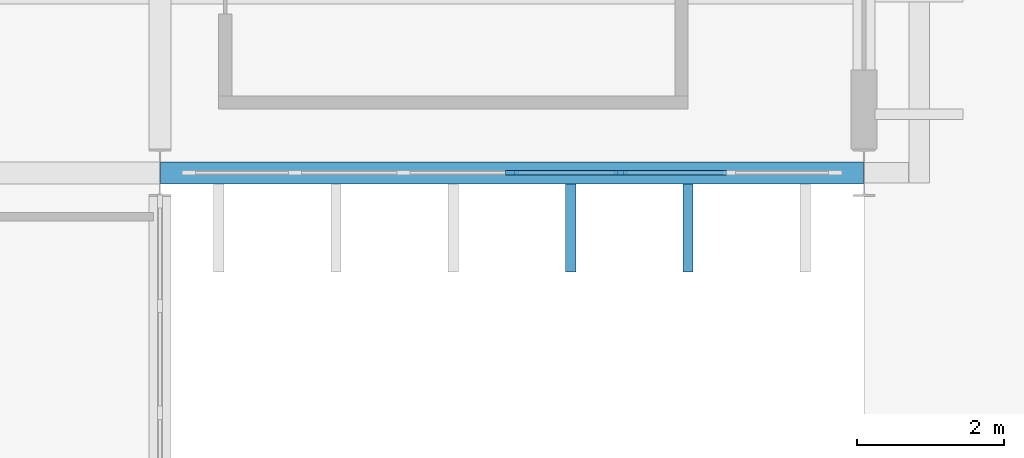
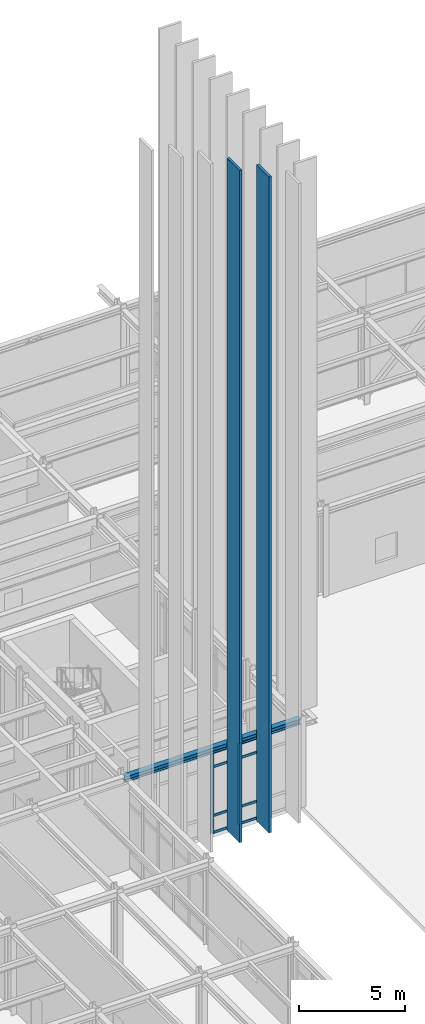
# One storey, part 40 of 109: 12 members, 1 beam, 1 element without a shape of its own.
"""IFC4 building model written with IfcOpenShell, lengths in metres."""

from ifc_helpers import new_model, si_unit, direction, frame, origin, origin_2d, place, context, subcontext, project, spatial, rectangle, i_section, extrude, material, layer, layer_set, material_profile, profile_set, type_object, element, aggregate, save


model = new_model("IFC4")

# Units and contexts
model_context = context("Model", 3, precision=1e-05, world=origin(), true_north=direction((0.0, 1.0)))
body_context = subcontext(model_context, "Body", "Model", "MODEL_VIEW")
ifc_project = project(units=[si_unit("LENGTHUNIT", "METRE"), si_unit("AREAUNIT", "SQUARE_METRE"), si_unit("VOLUMEUNIT", "CUBIC_METRE"), si_unit("PLANEANGLEUNIT", "RADIAN"), si_unit("MASSUNIT", "GRAM", prefix="KILO")], contexts=[model_context])

# Site, building, storey
site_placement = place(None, origin())
site = spatial("IfcSite", under=ifc_project, at=site_placement, CompositionType="ELEMENT")
building_placement = place(site_placement, origin())
building = spatial("IfcBuilding", under=site, at=building_placement, Name="Nordkorset Police Headquarters", CompositionType="ELEMENT")
storey_placement = place(building_placement, origin())
storey = spatial("IfcBuildingStorey", under=building, at=storey_placement, Name="L00", CompositionType="ELEMENT", Elevation=0.0)

# Curtain wall, members
ifc_material_1 = material(Name="Aluminium alloy AW-6060", Category="aluminium")
ifc_layer = layer(ifc_material_1, 0.179931640625, Name="Aluminium alloy AW-6060")
ifc_layer_set = layer_set([ifc_layer], Name="Aluminium alloy AW-6060")
curtain_wall_type = type_object("IfcCurtainWallType", Name="CW_Unit_888x467", PredefinedType="USERDEFINED", material=ifc_layer_set)
curtain_wall_placement = place(storey_placement, origin())
curtain_wall = element("IfcCurtainWall", 1, at=curtain_wall_placement, inside=storey, type_object=curtain_wall_type, Name="Unitised Curtain Wall L00 V1S-2", ObjectType="UNITISED CURTAIN WALL", PredefinedType="USERDEFINED")
ifc_material_2 = material(Name="Aluminium alloy AW-6060", Category="aluminium")
ifc_material_profile_1 = material_profile(ifc_material_2, rectangle(XDim=0.06494140625, YDim=0.179931640625, at=origin_2d()), Name="ALU MULL 65x180")
ifc_profile_set_1 = profile_set([ifc_material_profile_1], Name="Aluminium alloy AW-6060")
member_type_1 = type_object("IfcMemberType", Name="CW_Mullion_65x180", PredefinedType="MULLION", material=ifc_profile_set_1)
member_1_placement = place(storey_placement, frame((24.0, 83.199951171875, 0.0), z_axis=(0.0, 0.0, 1.0), x_axis=(0.0, 1.0, 0.0)))
member_1 = element("IfcMember", 2, at=member_1_placement, type_object=member_type_1, Name="CW-51 mullion 4", PredefinedType="MULLION", context=body_context, shape_type="SweptSolid", body=[
    extrude(rectangle(XDim=0.06494140625, YDim=0.179931640625, at=origin_2d()), origin(), (0.0, 0.0, 1.0), 4.669921875),
])
member_2_placement = place(storey_placement, frame((25.47998046875, 83.199951171875, 0.0), z_axis=(0.0, 0.0, 1.0), x_axis=(0.0, 1.0, 0.0)))
member_2 = element("IfcMember", 3, at=member_2_placement, type_object=member_type_1, Name="CW-51 mullion 5", PredefinedType="MULLION", context=body_context, shape_type="SweptSolid", body=[
    extrude(rectangle(XDim=0.06494140625, YDim=0.179931640625, at=origin_2d()), origin(), (0.0, 0.0, 1.0), 4.669921875),
])
ifc_material_3 = material(Name="Aluminium alloy AW-6060", Category="aluminium")
ifc_material_profile_2 = material_profile(ifc_material_3, rectangle(XDim=0.06494140625, YDim=0.139892578125, at=origin_2d()), Name="ALU TRAN 65x140")
ifc_profile_set_2 = profile_set([ifc_material_profile_2], Name="Aluminium alloy AW-6060")
member_type_2 = type_object("IfcMemberType", Name="CW_Transom_65x140", PredefinedType="USERDEFINED", material=ifc_profile_set_2)
member_3_placement = place(storey_placement, frame((24.032470703125, 83.199951171875, 0.032470703125), z_axis=(1.0, 0.0, 0.0), x_axis=(0.0, 1.0, 0.0)))
member_3 = element("IfcMember", 4, at=member_3_placement, type_object=member_type_2, Name="CW-51 transom 4.1", ObjectType="TRANSOM", PredefinedType="USERDEFINED", context=body_context, shape_type="SweptSolid", body=[
    extrude(rectangle(XDim=0.06494140625, YDim=0.139892578125, at=origin_2d()), origin(), (0.0, 0.0, 1.0), 1.4150390625),
])
member_4_placement = place(storey_placement, frame((24.032470703125, 83.199951171875, 1.0), z_axis=(1.0, 0.0, 0.0), x_axis=(0.0, 1.0, 0.0)))
member_4 = element("IfcMember", 5, at=member_4_placement, type_object=member_type_2, Name="CW-51 transom 4.2", ObjectType="TRANSOM", PredefinedType="USERDEFINED", context=body_context, shape_type="SweptSolid", body=[
    extrude(rectangle(XDim=0.06494140625, YDim=0.139892578125, at=origin_2d()), origin(), (0.0, 0.0, 1.0), 1.4150390625),
])
member_5_placement = place(storey_placement, frame((24.032470703125, 83.199951171875, 3.820068359375), z_axis=(1.0, 0.0, 0.0), x_axis=(0.0, 1.0, 0.0)))
member_5 = element("IfcMember", 6, at=member_5_placement, type_object=member_type_2, Name="CW-51 transom 4.3", ObjectType="TRANSOM", PredefinedType="USERDEFINED", context=body_context, shape_type="SweptSolid", body=[
    extrude(rectangle(XDim=0.06494140625, YDim=0.139892578125, at=origin_2d()), origin(), (0.0, 0.0, 1.0), 1.4150390625),
])
member_6_placement = place(storey_placement, frame((24.032470703125, 83.199951171875, 4.637451171875), z_axis=(1.0, 0.0, 0.0), x_axis=(0.0, 1.0, 0.0)))
member_6 = element("IfcMember", 7, at=member_6_placement, type_object=member_type_2, Name="CW-51 transom 4.4", ObjectType="TRANSOM", PredefinedType="USERDEFINED", context=body_context, shape_type="SweptSolid", body=[
    extrude(rectangle(XDim=0.06494140625, YDim=0.139892578125, at=origin_2d()), origin(), (0.0, 0.0, 1.0), 1.4150390625),
])
member_7_placement = place(storey_placement, frame((25.512451171875, 83.199951171875, 0.032470703125), z_axis=(1.0, 0.0, 0.0), x_axis=(0.0, 1.0, 0.0)))
member_7 = element("IfcMember", 8, at=member_7_placement, type_object=member_type_2, Name="CW-51 transom 5.1", ObjectType="TRANSOM", PredefinedType="USERDEFINED", context=body_context, shape_type="SweptSolid", body=[
    extrude(rectangle(XDim=0.06494140625, YDim=0.139892578125, at=origin_2d()), origin(), (0.0, 0.0, 1.0), 1.4150390625),
])
member_8_placement = place(storey_placement, frame((25.512451171875, 83.199951171875, 1.0), z_axis=(1.0, 0.0, 0.0), x_axis=(0.0, 1.0, 0.0)))
member_8 = element("IfcMember", 9, at=member_8_placement, type_object=member_type_2, Name="CW-51 transom 5.2", ObjectType="TRANSOM", PredefinedType="USERDEFINED", context=body_context, shape_type="SweptSolid", body=[
    extrude(rectangle(XDim=0.06494140625, YDim=0.139892578125, at=origin_2d()), origin(), (0.0, 0.0, 1.0), 1.4150390625),
])
member_9_placement = place(storey_placement, frame((25.512451171875, 83.199951171875, 3.820068359375), z_axis=(1.0, 0.0, 0.0), x_axis=(0.0, 1.0, 0.0)))
member_9 = element("IfcMember", 10, at=member_9_placement, type_object=member_type_2, Name="CW-51 transom 5.3", ObjectType="TRANSOM", PredefinedType="USERDEFINED", context=body_context, shape_type="SweptSolid", body=[
    extrude(rectangle(XDim=0.06494140625, YDim=0.139892578125, at=origin_2d()), origin(), (0.0, 0.0, 1.0), 1.4150390625),
])
member_10_placement = place(storey_placement, frame((25.512451171875, 83.199951171875, 4.637451171875), z_axis=(1.0, 0.0, 0.0), x_axis=(0.0, 1.0, 0.0)))
member_10 = element("IfcMember", 11, at=member_10_placement, type_object=member_type_2, Name="CW-51 transom 5.4", ObjectType="TRANSOM", PredefinedType="USERDEFINED", context=body_context, shape_type="SweptSolid", body=[
    extrude(rectangle(XDim=0.06494140625, YDim=0.139892578125, at=origin_2d()), origin(), (0.0, 0.0, 1.0), 1.4150390625),
])
aggregate(curtain_wall, [member_1, member_2, member_3, member_4, member_5, member_6, member_7, member_8, member_9, member_10])

# Members
ifc_material_4 = material(Name="Glulam GL30c", Category="wood")
ifc_material_profile_3 = material_profile(ifc_material_4, rectangle(XDim=0.139892578125, YDim=1.199951171875, at=origin_2d()), Name="GL30C FIN 140x1200")
ifc_profile_set_3 = profile_set([ifc_material_profile_3], Name="Glulam GL30c")
member_type_3 = type_object("IfcMemberType", Name="Member_GlulamFin_140x1200", PredefinedType="USERDEFINED", material=ifc_profile_set_3)
member_11_placement = place(storey_placement, frame((24.800048828125, 82.449951171875, 0.0), z_axis=(0.0, 0.0, 1.0), x_axis=(1.0, 0.0, 0.0)))
element("IfcMember", 12, at=member_11_placement, inside=storey, type_object=member_type_3, Name="Vertical Glulam Gable Fin South 074", ObjectType="VERTICAL TIMBER FIN", PredefinedType="USERDEFINED", context=body_context, shape_type="SweptSolid", body=[
    extrude(rectangle(XDim=0.139892578125, YDim=1.199951171875, at=origin_2d()), origin(), (0.0, 0.0, 1.0), 38.76220703125),
])
member_12_placement = place(storey_placement, frame((26.39990234375, 82.449951171875, 0.0), z_axis=(0.0, 0.0, 1.0), x_axis=(1.0, 0.0, 0.0)))
element("IfcMember", 13, at=member_12_placement, inside=storey, type_object=member_type_3, Name="Vertical Glulam Gable Fin South 076", ObjectType="VERTICAL TIMBER FIN", PredefinedType="USERDEFINED", context=body_context, shape_type="SweptSolid", body=[
    extrude(rectangle(XDim=0.139892578125, YDim=1.199951171875, at=origin_2d()), origin(), (0.0, 0.0, 1.0), 37.8232421875),
])

# Beam
ifc_material_5 = material(Name="Steel S355J2", Category="steel")
ifc_material_profile_4 = material_profile(ifc_material_5, i_section(OverallWidth=0.300048828125, OverallDepth=0.31005859375, WebThickness=0.009033203125, FlangeThickness=0.015380859375, FilletRadius=0.027099609375, at=origin_2d()), Name="HEA 320")
ifc_profile_set_4 = profile_set([ifc_material_profile_4], Name="Steel S355J2")
beam_type = type_object("IfcBeamType", Name="Spandrel_HEA_320", PredefinedType="SPANDREL", material=ifc_profile_set_4)
beam_placement = place(storey_placement, frame((19.2080078125, 83.199951171875, 4.844970703125), z_axis=(1.0, 0.0, 0.0), x_axis=(0.0, 1.0, 0.0)))
element("IfcBeam", 14, at=beam_placement, inside=storey, type_object=beam_type, Name="Girder V1 L00 GX-0-1", PredefinedType="SPANDREL", context=body_context, shape_type="SweptSolid", body=[
    extrude(i_section(OverallWidth=0.300048828125, OverallDepth=0.31005859375, WebThickness=0.009033203125, FlangeThickness=0.015380859375, FilletRadius=0.027099609375, at=origin_2d()), origin(), (0.0, 0.0, 1.0), 9.583984375),
])

save(model, "model.ifc")
